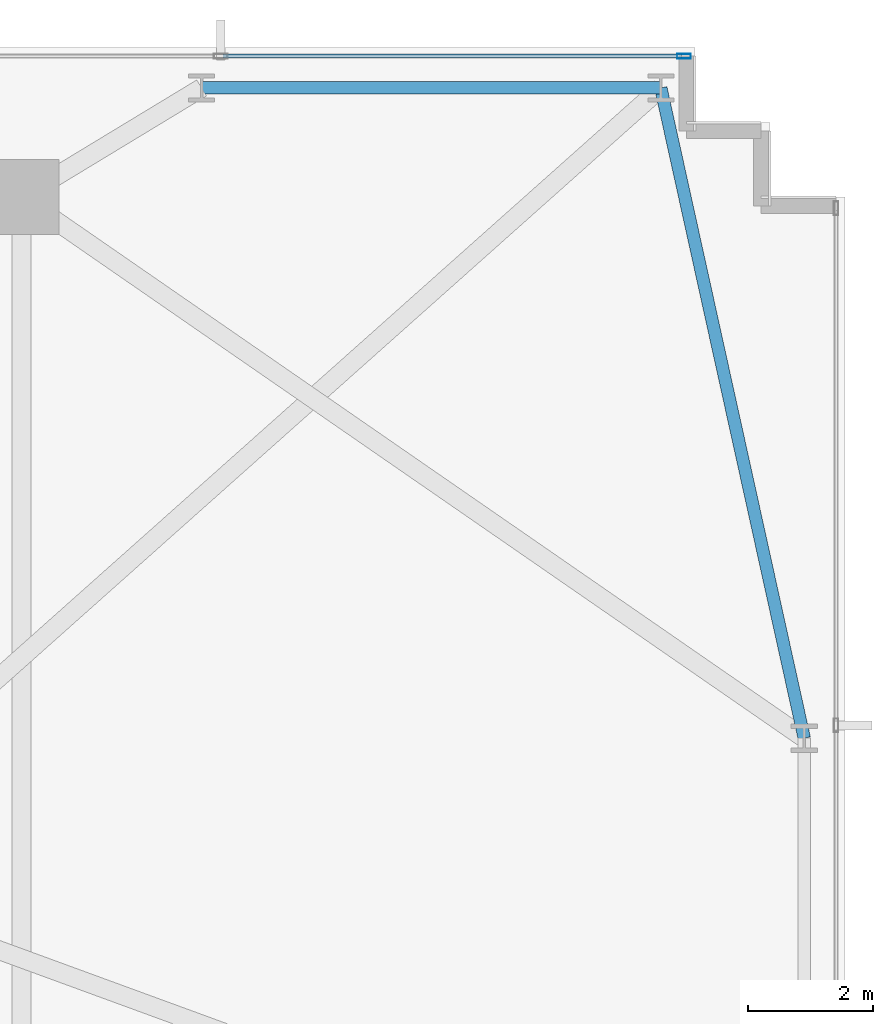
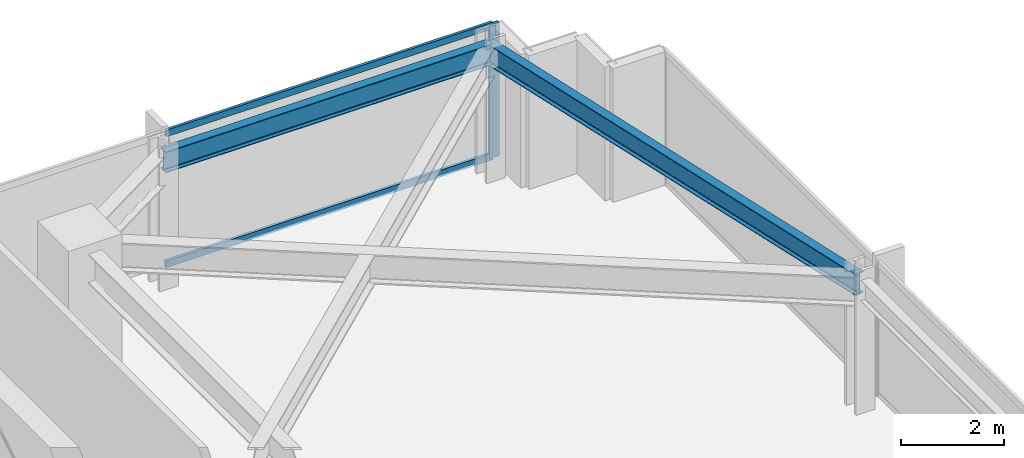
# One storey, part 21 of 33: 3 members, 2 beams, 1 element without a shape of its own.
"""IFC4 building model written with IfcOpenShell, lengths in metres."""

from ifc_helpers import new_model, si_unit, direction, frame, origin, origin_2d, place, context, subcontext, project, spatial, hollow_rectangle, i_section, extrude, material, material_profile, profile_set, type_object, element, aggregate, save


model = new_model("IFC4")

# Units and contexts
model_context = context("Model", 3, precision=1e-05, world=origin(), true_north=direction((0.0, 1.0)))
body_context = subcontext(model_context, "Body", "Model", "MODEL_VIEW")
ifc_project = project(units=[si_unit("LENGTHUNIT", "METRE"), si_unit("AREAUNIT", "SQUARE_METRE"), si_unit("VOLUMEUNIT", "CUBIC_METRE"), si_unit("PLANEANGLEUNIT", "RADIAN"), si_unit("MASSUNIT", "GRAM", prefix="KILO")], contexts=[model_context])

# Site, building, storey
site_placement = place(None, origin())
site = spatial("IfcSite", under=ifc_project, at=site_placement, CompositionType="ELEMENT")
building_placement = place(site_placement, origin())
building = spatial("IfcBuilding", under=site, at=building_placement, Name="Yelkora Congress Tower", CompositionType="ELEMENT")
storey_placement = place(building_placement, frame((0.0, 0.0, 54.199951171875)))
storey = spatial("IfcBuildingStorey", under=building, at=storey_placement, Name="L13", CompositionType="ELEMENT", Elevation=54.199951171875)

# Beams
ifc_material_1 = material(Name="Steel S355J2", Category="steel")
ifc_material_profile_1 = material_profile(ifc_material_1, i_section(OverallWidth=0.199951171875, OverallDepth=0.5, WebThickness=0.01025390625, FlangeThickness=0.01611328125, FilletRadius=0.02099609375, at=origin_2d()), Name="IPE 500")
ifc_profile_set_1 = profile_set([ifc_material_profile_1], Name="Steel S355J2")
beam_type = type_object("IfcBeamType", Name="BM-SPAN-IPE500", PredefinedType="SPANDREL", material=ifc_profile_set_1)
beam_1_placement = place(storey_placement, frame((70.14990234375, 37.52490234375, 2.929931640625), z_axis=(-0.215424087425, 0.97652058993, 0.0), x_axis=(-0.97652058993, -0.215424087425, 0.0)))
element("IfcBeam", 1, at=beam_1_placement, inside=storey, type_object=beam_type, Name="L13 Perimeter Beam 13", PredefinedType="SPANDREL", context=body_context, shape_type="SweptSolid", body=[
    extrude(i_section(OverallWidth=0.199951171875, OverallDepth=0.5, WebThickness=0.01025390625, FlangeThickness=0.01611328125, FilletRadius=0.02099609375, at=origin_2d()), origin(), (0.0, 0.0, 1.0), 10.67578125),
])
beam_2_placement = place(storey_placement, frame((67.85009765625, 47.949951171875, 2.929931640625), z_axis=(-1.0, 0.0, 0.0), x_axis=(0.0, -1.0, 0.0)))
element("IfcBeam", 2, at=beam_2_placement, inside=storey, type_object=beam_type, Name="L13 Perimeter Beam 14", PredefinedType="SPANDREL", context=body_context, shape_type="SweptSolid", body=[
    extrude(i_section(OverallWidth=0.199951171875, OverallDepth=0.5, WebThickness=0.01025390625, FlangeThickness=0.01611328125, FilletRadius=0.02099609375, at=origin_2d()), origin(), (0.0, 0.0, 1.0), 7.362548828125),
])

# Curtain wall, members
ifc_material_2 = material(Name="Anodised aluminium and insulated glass", Category="aluminium")
curtain_wall_type = type_object("IfcCurtainWallType", Name="CW-SYS-B1", PredefinedType="NOTDEFINED", material=ifc_material_2)
curtain_wall_placement = place(storey_placement, origin())
curtain_wall = element("IfcCurtainWall", 3, at=curtain_wall_placement, inside=storey, type_object=curtain_wall_type, Name="L13 Unitised Curtain Wall 10", PredefinedType="NOTDEFINED")
ifc_material_3 = material(Name="Anodised aluminium 6063-T6", Category="aluminium")
ifc_material_profile_2 = material_profile(ifc_material_3, hollow_rectangle(XDim=0.074951171875, YDim=0.219970703125, WallThickness=0.0048828125, at=origin_2d()), Name="ALU 75x220x5")
ifc_profile_set_2 = profile_set([ifc_material_profile_2], Name="Anodised aluminium 6063-T6")
member_type_1 = type_object("IfcMemberType", Name="MEM-ML-B1", PredefinedType="MULLION", material=ifc_profile_set_2)
member_1_placement = place(storey_placement, frame((68.222412109375, 48.4599609375, 0.0), z_axis=(0.0, 0.0, 1.0), x_axis=(0.0, 1.0, 0.0)))
member_1 = element("IfcMember", 4, at=member_1_placement, type_object=member_type_1, Name="CW-B1 mullion 9", PredefinedType="MULLION", context=body_context, shape_type="SweptSolid", body=[
    extrude(hollow_rectangle(XDim=0.074951171875, YDim=0.219970703125, WallThickness=0.0048828125, at=origin_2d()), origin(), (0.0, 0.0, 1.0), 3.179931640625),
])
ifc_material_profile_3 = material_profile(ifc_material_3, hollow_rectangle(XDim=0.06494140625, YDim=0.159912109375, WallThickness=0.00390625, at=origin_2d()), Name="ALU 65x160x4")
ifc_profile_set_3 = profile_set([ifc_material_profile_3], Name="Anodised aluminium 6063-T6")
member_type_2 = type_object("IfcMemberType", Name="MEM-TR-B1", PredefinedType="USERDEFINED", material=ifc_profile_set_3)
member_2_placement = place(storey_placement, frame((60.83251953125, 48.4599609375, 0.032470703125), z_axis=(1.0, 0.0, 0.0), x_axis=(0.0, 1.0, 0.0)))
member_2 = element("IfcMember", 5, at=member_2_placement, type_object=member_type_2, Name="CW-B1 transom 8.1", ObjectType="TRANSOM", PredefinedType="USERDEFINED", context=body_context, shape_type="SweptSolid", body=[
    extrude(hollow_rectangle(XDim=0.06494140625, YDim=0.159912109375, WallThickness=0.00390625, at=origin_2d()), origin(), (0.0, 0.0, 1.0), 7.3525390625),
])
member_3_placement = place(storey_placement, frame((60.83251953125, 48.4599609375, 3.1474609375), z_axis=(1.0, 0.0, 0.0), x_axis=(0.0, 1.0, 0.0)))
member_3 = element("IfcMember", 6, at=member_3_placement, type_object=member_type_2, Name="CW-B1 transom 8.2", ObjectType="TRANSOM", PredefinedType="USERDEFINED", context=body_context, shape_type="SweptSolid", body=[
    extrude(hollow_rectangle(XDim=0.06494140625, YDim=0.159912109375, WallThickness=0.00390625, at=origin_2d()), origin(), (0.0, 0.0, 1.0), 7.3525390625),
])
aggregate(curtain_wall, [member_1, member_2, member_3])

save(model, "model.ifc")
